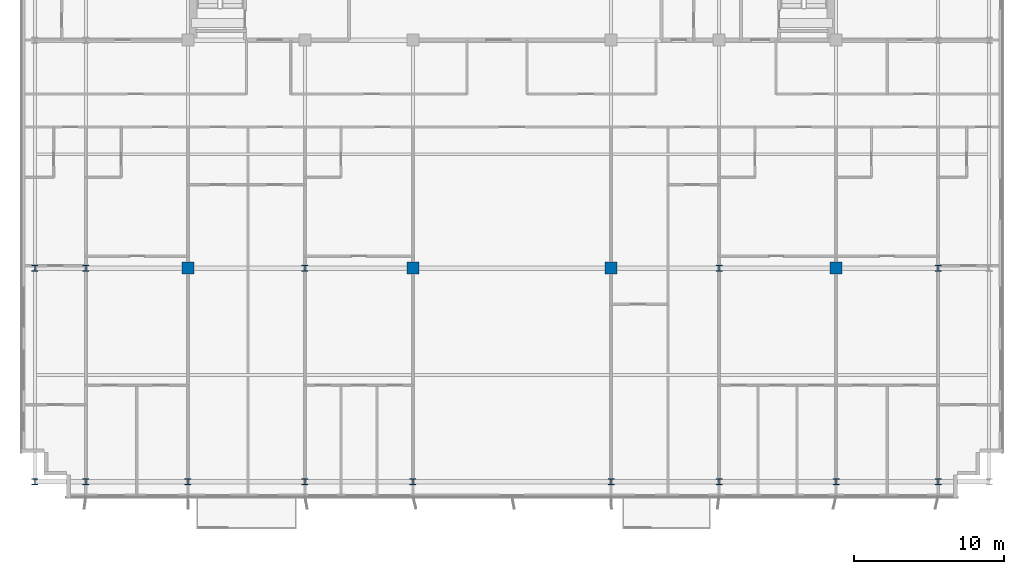
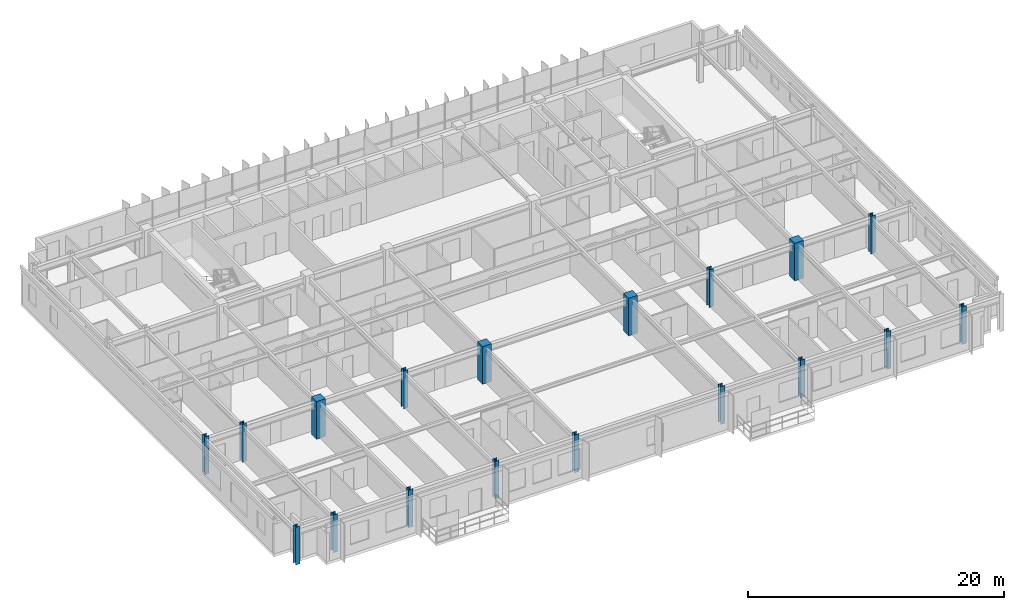
# One storey, part 1 of 22: 18 columns.
"""IFC4 building model written with IfcOpenShell, lengths in metres."""

from ifc_helpers import new_model, si_unit, direction, frame, origin, origin_2d, place, context, subcontext, project, spatial, rectangle, i_section, extrude, source, transform, mapped, material, material_profile, profile_set, type_object, element, save


model = new_model("IFC4")

# Units and contexts
model_context = context("Model", 3, precision=1e-05, world=origin(), true_north=direction((0.0, 1.0)))
body_context = subcontext(model_context, "Body", "Model", "MODEL_VIEW")
ifc_project = project(units=[si_unit("LENGTHUNIT", "METRE"), si_unit("AREAUNIT", "SQUARE_METRE"), si_unit("VOLUMEUNIT", "CUBIC_METRE"), si_unit("PLANEANGLEUNIT", "RADIAN"), si_unit("MASSUNIT", "GRAM", prefix="KILO")], contexts=[model_context])

# Site, building, storey
site_placement = place(None, origin())
site = spatial("IfcSite", under=ifc_project, at=site_placement, CompositionType="ELEMENT")
building_placement = place(site_placement, origin())
building = spatial("IfcBuilding", under=site, at=building_placement, Name="Trelvane Seafront Commons", CompositionType="ELEMENT")
storey_placement = place(building_placement, frame((0.0, 0.0, 96.10009765625)))
storey = spatial("IfcBuildingStorey", under=building, at=storey_placement, Name="L24", CompositionType="ELEMENT", Elevation=96.10009765625)

# Columns
ifc_material_1 = material(Name="Steel SM355 (S355)", Category="steel")
ifc_material_profile_1 = material_profile(ifc_material_1, i_section(OverallWidth=0.39990234375, OverallDepth=0.39990234375, WebThickness=0.02197265625, FlangeThickness=0.034912109375, at=origin_2d()), Name="HD-400x400x22x35")
ifc_profile_set_1 = profile_set([ifc_material_profile_1], Name="Steel SM355 (S355)")
column_type_1 = type_object("IfcColumnType", Name="STR-COL-HD400", PredefinedType="COLUMN", material=ifc_profile_set_1)
shared_shape_1 = source(origin(), body_context, "Body", "SweptSolid", [
    extrude(i_section(OverallWidth=0.39990234375, OverallDepth=0.39990234375, WebThickness=0.02197265625, FlangeThickness=0.034912109375, at=origin_2d()), origin(), (0.0, 0.0, 1.0), 3.599853515625),
])
for number, where, z_axis, x_axis, name in (
    (1, (5.39990234375, 3.949951171875, 0.0), (0.0, 0.0, 1.0), (1.0, 0.0, 0.0), "L24 Column TC-S5.4"),
    (2, (5.39990234375, 18.199951171875, 0.0), (0.0, 0.0, 1.0), (1.0, 0.0, 0.0), "L24 Column TC-M5.4"),
    (3, (8.800048828125, 3.949951171875, 0.0), (0.0, 0.0, 1.0), (1.0, 0.0, 0.0), "L24 Column TC-S8.8"),
    (4, (8.800048828125, 18.199951171875, 0.0), (0.0, 0.0, 1.0), (1.0, 0.0, 0.0), "L24 Column TC-M8.8"),
    (5, (15.60009765625, 3.949951171875, 0.0), (0.0, 0.0, 1.0), (1.0, 0.0, 0.0), "L24 Column TC-S15.6"),
    (6, (23.39990234375, 3.949951171875, 0.0), (0.0, 0.0, 1.0), (1.0, 0.0, 0.0), "L24 Column TC-S23.4"),
    (7, (23.39990234375, 18.199951171875, 0.0), (0.0, 0.0, 1.0), (1.0, 0.0, 0.0), "L24 Column TC-M23.4"),
    (8, (30.60009765625, 3.949951171875, 0.0), (0.0, 0.0, 1.0), (1.0, 0.0, 0.0), "L24 Column TC-S30.6"),
    (9, (43.800048828125, 3.949951171875, 0.0), (0.0, 0.0, 1.0), (1.0, 0.0, 0.0), "L24 Column TC-S43.8"),
    (10, (51.0, 3.949951171875, 0.0), (0.0, 0.0, 1.0), (1.0, 0.0, 0.0), "L24 Column TC-S51.0"),
    (11, (51.0, 18.199951171875, 0.0), (0.0, 0.0, 1.0), (1.0, 0.0, 0.0), "L24 Column TC-M51.0"),
    (12, (58.800048828125, 3.949951171875, 0.0), (0.0, 0.0, 1.0), (1.0, 0.0, 0.0), "L24 Column TC-S58.8"),
    (13, (65.60009765625, 3.949951171875, 0.0), (0.0, 0.0, 1.0), (1.0, 0.0, 0.0), "L24 Column TC-S65.6"),
    (14, (65.60009765625, 18.199951171875, 0.0), (0.0, 0.0, 1.0), (1.0, 0.0, 0.0), "L24 Column TC-M65.6"),
):
    element("IfcColumn", number, at=place(storey_placement, frame(where, z_axis=z_axis, x_axis=x_axis)), inside=storey, type_object=column_type_1, Name=name, PredefinedType="COLUMN", context=body_context, shape_type="MappedRepresentation", body=[
        mapped(shared_shape_1, transform((0.0, 0.0, 0.0), x_axis=(1.0, 0.0, 0.0), y_axis=(0.0, 1.0, 0.0), z_axis=(0.0, 0.0, 1.0), scale=1.0)),
    ])
ifc_material_2 = material(Name="Concrete C60/75", Category="concrete")
ifc_material_profile_2 = material_profile(ifc_material_2, rectangle(XDim=0.800048828125, YDim=0.800048828125, at=origin_2d()), Name="RC-800x800")
ifc_profile_set_2 = profile_set([ifc_material_profile_2], Name="Concrete C60/75")
column_type_2 = type_object("IfcColumnType", Name="STR-COL-RC800", PredefinedType="COLUMN", material=ifc_profile_set_2)
shared_shape_2 = source(origin(), body_context, "Body", "SweptSolid", [
    extrude(rectangle(XDim=0.800048828125, YDim=0.800048828125, at=origin_2d()), origin(), (0.0, 0.0, 1.0), 3.599853515625),
])
for number, where, z_axis, x_axis, name in (
    (15, (15.60009765625, 18.199951171875, 0.0), (0.0, 0.0, 1.0), (1.0, 0.0, 0.0), "L24 Column TC-M15.6"),
    (16, (30.60009765625, 18.199951171875, 0.0), (0.0, 0.0, 1.0), (1.0, 0.0, 0.0), "L24 Column TC-M30.6"),
    (17, (43.800048828125, 18.199951171875, 0.0), (0.0, 0.0, 1.0), (1.0, 0.0, 0.0), "L24 Column TC-M43.8"),
    (18, (58.800048828125, 18.199951171875, 0.0), (0.0, 0.0, 1.0), (1.0, 0.0, 0.0), "L24 Column TC-M58.8"),
):
    element("IfcColumn", number, at=place(storey_placement, frame(where, z_axis=z_axis, x_axis=x_axis)), inside=storey, type_object=column_type_2, Name=name, PredefinedType="COLUMN", context=body_context, shape_type="MappedRepresentation", body=[
        mapped(shared_shape_2, transform((0.0, 0.0, 0.0), x_axis=(1.0, 0.0, 0.0), y_axis=(0.0, 1.0, 0.0), z_axis=(0.0, 0.0, 1.0), scale=1.0)),
    ])

save(model, "model.ifc")
